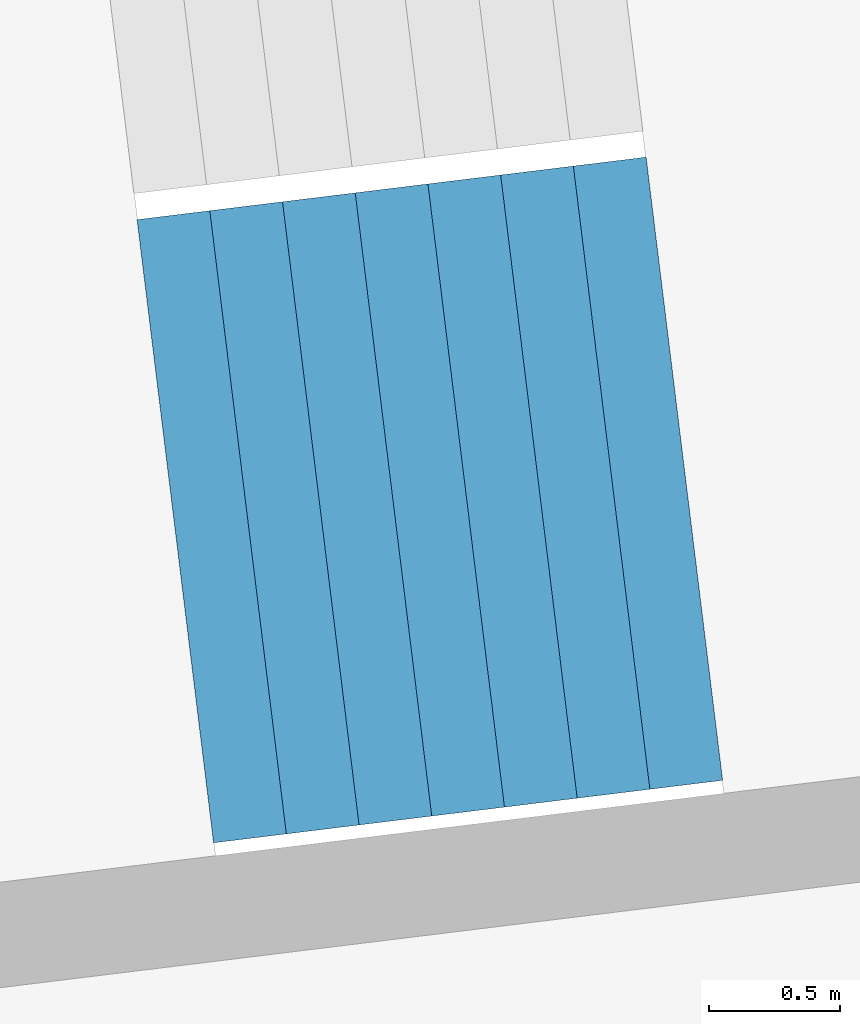
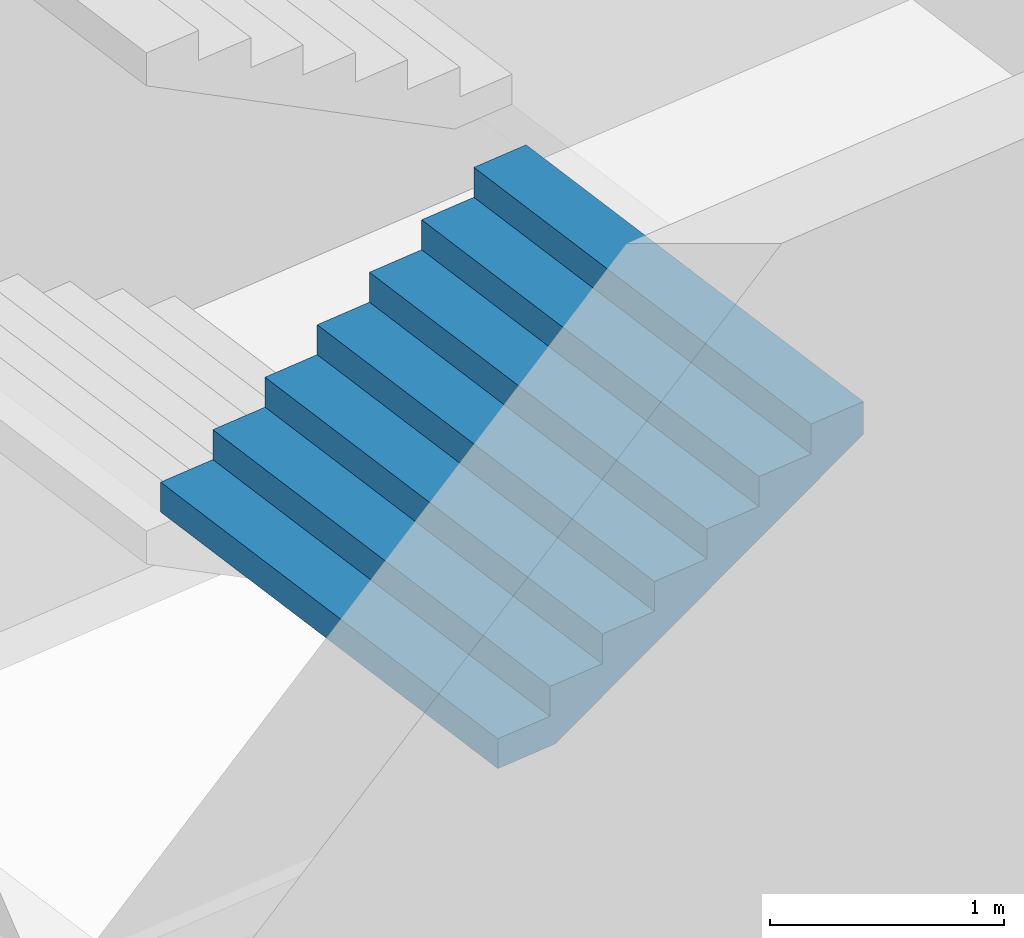
# One storey, part 58 of 73: 1 stair flight, 1 element without a shape of its own.
"""IFC4 building model written with IfcOpenShell, lengths in metres."""

import ifcopenshell
import ifcopenshell.guid

model = None  # the IFC model being written
_history = None  # IfcOwnerHistory: only IFC2X3 demands one
_inside = {}  # id of a spatial element -> (the spatial element, [elements in it])
_under = {}  # id of a project, library or spatial element -> (it, [spatial elements below it])
_declared = {}  # id of a project -> (the project, [libraries it declares])
_typed = {}  # id of a type object -> (the type object, [elements of that type])
_made_of = {}  # id of a material, layer set ... -> (it, [elements and type objects made of it])


def new_model(schema):
    """Start an empty IFC model of exactly this schema.

    Asked for "IFC4X3", IfcOpenShell would pick the latest addendum, in which some entities
    have other attributes; the version numbers below select the first issue.
    IFC2X3 requires an IfcOwnerHistory on every rooted entity: one is made here for all.
    """
    global model, _history
    if schema == "IFC4X3":
        model = ifcopenshell.file(schema_version=(4, 3, 0, 0))
    else:
        model = ifcopenshell.file(schema=schema)
    _inside.clear()
    _under.clear()
    _declared.clear()
    _typed.clear()
    _made_of.clear()
    _history = None
    if model.schema == "IFC2X3":
        org = make("IfcOrganization", Name="unknown")
        user = make(
            "IfcPersonAndOrganization",
            ThePerson=make("IfcPerson", FamilyName="unknown"),
            TheOrganization=org,
        )
        app = make(
            "IfcApplication",
            ApplicationDeveloper=org,
            Version="unknown",
            ApplicationFullName="unknown",
            ApplicationIdentifier="unknown",
        )
        _history = make(
            "IfcOwnerHistory",
            OwningUser=user,
            OwningApplication=app,
            ChangeAction="ADDED",
            CreationDate=0,
        )
    return model


def make(cls, **values):
    """One entity of the class cls with the attributes given. An attribute that is None is left unset."""
    return model.create_entity(
        cls, **{name: value for name, value in values.items() if value is not None}
    )


def rooted(cls, **values):
    """An entity with a GlobalId (a new one), such as an element, a storey or a relation."""
    return make(cls, GlobalId=ifcopenshell.guid.new(), OwnerHistory=_history, **values)


def si_unit(unit_type, name, prefix=None):
    """IfcSIUnit, for example si_unit("LENGTHUNIT", "METRE", prefix="MILLI")."""
    return make("IfcSIUnit", UnitType=unit_type, Prefix=prefix, Name=name)


def assignment(units):
    """IfcUnitAssignment: the units of a project."""
    return None if units is None else make("IfcUnitAssignment", Units=units)


def point(xyz):
    """IfcCartesianPoint."""
    return None if xyz is None else make("IfcCartesianPoint", Coordinates=xyz)


def direction(xyz):
    """IfcDirection."""
    return None if xyz is None else make("IfcDirection", DirectionRatios=xyz)


def frame(location, z_axis=None, x_axis=None):
    """IfcAxis2Placement3D, a coordinate frame: its origin and axes. An axis left out is left unset."""
    return make(
        "IfcAxis2Placement3D",
        Location=point(location),
        Axis=direction(z_axis),
        RefDirection=direction(x_axis),
    )


def origin():
    """The frame at (0, 0, 0) with its axes left unset."""
    return frame((0.0, 0.0, 0.0))


def place(relative_to, where):
    """IfcLocalPlacement: puts the frame where relative to a parent placement (None: the world)."""
    return make(
        "IfcLocalPlacement", PlacementRelTo=relative_to, RelativePlacement=where
    )


def context(
    kind, dimensions, precision=None, world=None, true_north=None, identifier=None
):
    """IfcGeometricRepresentationContext, for example the 3D "Model" context."""
    return make(
        "IfcGeometricRepresentationContext",
        ContextIdentifier=identifier,
        ContextType=kind,
        CoordinateSpaceDimension=dimensions,
        Precision=precision,
        WorldCoordinateSystem=world,
        TrueNorth=true_north,
    )


def subcontext(parent, identifier, kind, view, scale=None):
    """IfcGeometricRepresentationSubContext, for example "Body" below "Model"."""
    return make(
        "IfcGeometricRepresentationSubContext",
        ContextIdentifier=identifier,
        ContextType=kind,
        ParentContext=parent,
        TargetScale=scale,
        TargetView=view,
    )


def project(units=None, contexts=None):
    """IfcProject with its units and contexts."""
    return rooted(
        "IfcProject",
        Name="project",
        RepresentationContexts=contexts,
        UnitsInContext=assignment(units),
    )


def spatial(cls, under=None, at=None, **own):
    """A site, building, storey or space (cls), placed at a placement, below another one or the project."""
    s = rooted(cls, ObjectPlacement=at, **own)
    if under is not None:
        _under.setdefault(under.id(), (under, []))[1].append(s)
    return s


def point_list(points):
    """IfcCartesianPointList2D or 3D."""
    cls = (
        "IfcCartesianPointList2D" if len(points[0]) == 2 else "IfcCartesianPointList3D"
    )
    return make(cls, CoordList=points)


def triangles(points, corners, closed=None, point_numbers=None):
    """IfcTriangulatedFaceSet: each triangle names its three corners, points numbered from 1."""
    return make(
        "IfcTriangulatedFaceSet",
        Coordinates=point_list(points),
        Closed=closed,
        CoordIndex=corners,
        PnIndex=point_numbers,
    )


def shape(context_of_items, identifier, shape_type, items):
    """IfcShapeRepresentation: the items that make up one representation, for example the "Body"."""
    return make(
        "IfcShapeRepresentation",
        ContextOfItems=context_of_items,
        RepresentationIdentifier=identifier,
        RepresentationType=shape_type,
        Items=items,
    )


def material(Name=None, Category=None):
    """IfcMaterial."""
    return make("IfcMaterial", Name=Name, Category=Category)


def made_of(thing, what):
    """Note that an element or type object is made of a material, layer set ...; save() writes the relation."""
    if what is not None:
        _made_of.setdefault(what.id(), (what, []))[1].append(thing)
    return thing


def type_object(cls, material=None, **own):
    """A type object (cls), such as IfcWallType, which elements share."""
    return made_of(rooted(cls, **own), material)


def element(
    cls,
    number,
    at=None,
    inside=None,
    cuts=None,
    type_object=None,
    material=None,
    context=None,
    identifier="Body",
    shape_type=None,
    held_by="IfcProductDefinitionShape",
    body=None,
    shapes=None,
    **own,
):
    """One element of the class cls, such as IfcWall. Its Tag is "e" and its number.

    at: its placement. inside: the storey or other place that contains it. cuts: it is an
    opening in that element (IfcRelVoidsElement). A single representation is given by context,
    identifier, shape_type and body (its items); several are given by shapes. held_by: the class
    of the entity that holds the representations. save() writes the other relations.
    """
    e = rooted(cls, Tag="e%d" % number, ObjectPlacement=at, **own)
    if body is not None:
        shapes = [shape(context, identifier, shape_type, body)]
    if shapes is not None:
        e.Representation = make(held_by, Representations=shapes)
    if inside is not None:
        _inside.setdefault(inside.id(), (inside, []))[1].append(e)
    if cuts is not None:
        rooted(
            "IfcRelVoidsElement", RelatingBuildingElement=cuts, RelatedOpeningElement=e
        )
    if type_object is not None:
        _typed.setdefault(type_object.id(), (type_object, []))[1].append(e)
    return made_of(e, material)


def aggregate(whole, parts):
    """IfcRelAggregates: a whole, such as a stair, and the parts it consists of."""
    return rooted("IfcRelAggregates", RelatingObject=whole, RelatedObjects=parts)


def save(model, path):
    """Write the relations noted so far, then the file.

    IfcRelAggregates (storeys below a building ...), IfcRelContainedInSpatialStructure (elements
    in a storey), IfcRelDefinesByType, IfcRelAssociatesMaterial and IfcRelDeclares: one each for
    every whole, place, type object, material and project.
    """
    for whole, parts in _under.values():
        aggregate(whole, parts)
    for where, things in _inside.values():
        rooted(
            "IfcRelContainedInSpatialStructure",
            RelatedElements=things,
            RelatingStructure=where,
        )
    for kind, things in _typed.values():
        rooted("IfcRelDefinesByType", RelatedObjects=things, RelatingType=kind)
    for what, things in _made_of.values():
        rooted("IfcRelAssociatesMaterial", RelatedObjects=things, RelatingMaterial=what)
    for by, libraries in _declared.values():
        rooted("IfcRelDeclares", RelatingContext=by, RelatedDefinitions=libraries)
    model.write(path)


model = new_model("IFC4")

# Units and contexts
model_context = context("Model", 3, precision=1e-05, world=origin(), true_north=direction((0.0, 1.0)))
body_context = subcontext(model_context, "Body", "Model", "MODEL_VIEW")
ifc_project = project(units=[si_unit("LENGTHUNIT", "METRE"), si_unit("AREAUNIT", "SQUARE_METRE"), si_unit("VOLUMEUNIT", "CUBIC_METRE"), si_unit("PLANEANGLEUNIT", "RADIAN"), si_unit("MASSUNIT", "GRAM", prefix="KILO")], contexts=[model_context])

# Site, building, storey
site_placement = place(None, origin())
site = spatial("IfcSite", under=ifc_project, at=site_placement, CompositionType="ELEMENT")
building_placement = place(site_placement, origin())
building = spatial("IfcBuilding", under=site, at=building_placement, Name="Lantaw Convention Tower", CompositionType="ELEMENT")
storey_placement = place(building_placement, frame((0.0, 0.0, 22.0)))
storey = spatial("IfcBuildingStorey", under=building, at=storey_placement, Name="L03", CompositionType="ELEMENT", Elevation=22.0)

# Stair, stair flight
ifc_material = material(Name="Concrete C35/45", Category="concrete")
stair_type = type_object("IfcStairType", Name="Exit stair 2400 riser 156.25 in 4 flights", PredefinedType="HALF_TURN_STAIR", material=ifc_material)
stair_placement = place(storey_placement, origin())
stair = element("IfcStair", 1, at=stair_placement, inside=storey, type_object=stair_type, Name="Podium exit stair P1 L03", PredefinedType="HALF_TURN_STAIR")
stair_flight_type = type_object("IfcStairFlightType", Name="Stair flight 2400 riser 156.25", PredefinedType="STRAIGHT", material=ifc_material)
stair_flight_placement = place(storey_placement, frame((38.2763671875, 3.4404296875, 2.5), z_axis=(0.0, 0.0, 1.0), x_axis=(0.992546151641, 0.121869343405, 0.0)))
stair_flight = element("IfcStairFlight", 2, at=stair_flight_placement, type_object=stair_flight_type, Name="P1 flight 3", NumberOfRisers=8, NumberOfTreads=7, PredefinedType="STRAIGHT", RiserHeight=0.15625, TreadLength=0.28, context=body_context, shape_type="Tessellation", body=[
    triangles([(0.0, 1.199951171875, 0.0), (0.0, 1.199951171875, 0.15625), (0.28, 1.199951171875, 0.0), (0.28, 1.199951171875, 0.15625), (0.28, 1.199951171875, 0.3125), (0.3076200632058044, 1.199951171875, 0.0), (0.3076200632058044, 1.199951171875, 0.3125), (0.56, 1.199951171875, 0.14083701830033238), (0.56, 1.199951171875, 0.3125), (0.56, 1.199951171875, 0.46875), (0.8400000000000001, 1.199951171875, 0.29708701830033235), (0.8400000000000001, 1.199951171875, 0.46875), (0.8400000000000001, 1.199951171875, 0.625), (1.12, 1.199951171875, 0.45333701830033235), (1.12, 1.199951171875, 0.625), (1.12, 1.199951171875, 0.78125), (1.4000000000000001, 1.199951171875, 0.6095870183003324), (1.4000000000000001, 1.199951171875, 0.78125), (1.4000000000000001, 1.199951171875, 0.9375), (1.6800000000000002, 1.199951171875, 0.7658370183003324), (1.6800000000000002, 1.199951171875, 0.9375), (1.6800000000000002, 1.199951171875, 1.09375), (1.9600000000000002, 1.199951171875, 0.9220870183003324), (1.9600000000000002, 1.199951171875, 1.09375), (0.0, -1.199951171875, 0.0), (0.0, -1.199951171875, 0.15625), (0.28, -1.199951171875, 0.0), (0.28, -1.199951171875, 0.15625), (0.28, -1.199951171875, 0.3125), (0.3076200632058044, -1.199951171875, 0.0), (0.3076200632058044, -1.199951171875, 0.3125), (0.56, -1.199951171875, 0.14083701830033238), (0.56, -1.199951171875, 0.3125), (0.56, -1.199951171875, 0.46875), (0.8400000000000001, -1.199951171875, 0.29708701830033235), (0.8400000000000001, -1.199951171875, 0.46875), (0.8400000000000001, -1.199951171875, 0.625), (1.12, -1.199951171875, 0.45333701830033235), (1.12, -1.199951171875, 0.625), (1.12, -1.199951171875, 0.78125), (1.4000000000000001, -1.199951171875, 0.6095870183003324), (1.4000000000000001, -1.199951171875, 0.78125), (1.4000000000000001, -1.199951171875, 0.9375), (1.6800000000000002, -1.199951171875, 0.7658370183003324), (1.6800000000000002, -1.199951171875, 0.9375), (1.6800000000000002, -1.199951171875, 1.09375), (1.9600000000000002, -1.199951171875, 0.9220870183003324), (1.9600000000000002, -1.199951171875, 1.09375), (0.0, 0.239990234375, 0.15625), (0.0, 0.239990234375, 0.0), (0.0, 0.1919921875, 0.15625), (0.0, 0.1919921875, 0.0), (0.0, 0.143994140625, 0.15625), (0.0, 0.143994140625, 0.0), (0.0, 0.09599609375, 0.15625), (0.0, 0.09599609375, 0.0), (0.0, 0.047998046875, 0.15625), (0.0, 0.047998046875, 0.0), (0.0, 0.0, 0.15625), (0.0, 0.0, 0.0), (0.0, -0.047998046875, 0.15625), (0.0, -0.047998046875, 0.0), (0.0, -0.09599609375, 0.15625), (0.0, -0.09599609375, 0.0), (0.0, -0.143994140625, 0.15625), (0.0, -0.143994140625, 0.0), (0.0, -0.1919921875, 0.15625), (0.0, -0.1919921875, 0.0), (0.0, -0.239990234375, 0.15625), (0.0, -0.239990234375, 0.0), (0.28, 0.239990234375, 0.3125), (0.28, 0.239990234375, 0.15625), (0.28, 0.1919921875, 0.3125), (0.28, 0.1919921875, 0.15625), (0.28, 0.143994140625, 0.3125), (0.28, 0.143994140625, 0.15625), (0.28, 0.09599609375, 0.3125), (0.28, 0.09599609375, 0.15625), (0.28, 0.047998046875, 0.3125), (0.28, 0.047998046875, 0.15625), (0.28, 0.0, 0.3125), (0.28, 0.0, 0.15625), (0.28, -0.047998046875, 0.3125), (0.28, -0.047998046875, 0.15625), (0.28, -0.09599609375, 0.3125), (0.28, -0.09599609375, 0.15625), (0.28, -0.143994140625, 0.3125), (0.28, -0.143994140625, 0.15625), (0.28, -0.1919921875, 0.3125), (0.28, -0.1919921875, 0.15625), (0.28, -0.239990234375, 0.3125), (0.28, -0.239990234375, 0.15625), (0.56, 0.239990234375, 0.46875), (0.56, 0.239990234375, 0.3125), (0.56, 0.1919921875, 0.46875), (0.56, 0.1919921875, 0.3125), (0.56, 0.143994140625, 0.46875), (0.56, 0.143994140625, 0.3125), (0.56, 0.09599609375, 0.46875), (0.56, 0.09599609375, 0.3125), (0.56, 0.047998046875, 0.46875), (0.56, 0.047998046875, 0.3125), (0.56, 0.0, 0.46875), (0.56, 0.0, 0.3125), (0.56, -0.047998046875, 0.46875), (0.56, -0.047998046875, 0.3125), (0.56, -0.09599609375, 0.46875), (0.56, -0.09599609375, 0.3125), (0.56, -0.143994140625, 0.46875), (0.56, -0.143994140625, 0.3125), (0.56, -0.1919921875, 0.46875), (0.56, -0.1919921875, 0.3125), (0.56, -0.239990234375, 0.46875), (0.56, -0.239990234375, 0.3125), (0.8400000000000001, 0.239990234375, 0.625), (0.8400000000000001, 0.239990234375, 0.46875), (0.8400000000000001, 0.1919921875, 0.625), (0.8400000000000001, 0.1919921875, 0.46875), (0.8400000000000001, 0.143994140625, 0.625), (0.8400000000000001, 0.143994140625, 0.46875), (0.8400000000000001, 0.09599609375, 0.625), (0.8400000000000001, 0.09599609375, 0.46875), (0.8400000000000001, 0.047998046875, 0.625), (0.8400000000000001, 0.047998046875, 0.46875), (0.8400000000000001, 0.0, 0.625), (0.8400000000000001, 0.0, 0.46875), (0.8400000000000001, -0.047998046875, 0.625), (0.8400000000000001, -0.047998046875, 0.46875), (0.8400000000000001, -0.09599609375, 0.625), (0.8400000000000001, -0.09599609375, 0.46875), (0.8400000000000001, -0.143994140625, 0.625), (0.8400000000000001, -0.143994140625, 0.46875), (0.8400000000000001, -0.1919921875, 0.625), (0.8400000000000001, -0.1919921875, 0.46875), (0.8400000000000001, -0.239990234375, 0.625), (0.8400000000000001, -0.239990234375, 0.46875), (1.12, 0.239990234375, 0.78125), (1.12, 0.239990234375, 0.625), (1.12, 0.1919921875, 0.78125), (1.12, 0.1919921875, 0.625), (1.12, 0.143994140625, 0.78125), (1.12, 0.143994140625, 0.625), (1.12, 0.09599609375, 0.78125), (1.12, 0.09599609375, 0.625), (1.12, 0.047998046875, 0.78125), (1.12, 0.047998046875, 0.625), (1.12, 0.0, 0.78125), (1.12, 0.0, 0.625), (1.12, -0.047998046875, 0.78125), (1.12, -0.047998046875, 0.625), (1.12, -0.09599609375, 0.78125), (1.12, -0.09599609375, 0.625), (1.12, -0.143994140625, 0.78125), (1.12, -0.143994140625, 0.625), (1.12, -0.1919921875, 0.78125), (1.12, -0.1919921875, 0.625), (1.12, -0.239990234375, 0.78125), (1.12, -0.239990234375, 0.625), (1.4000000000000001, 0.239990234375, 0.9375), (1.4000000000000001, 0.239990234375, 0.78125), (1.4000000000000001, 0.1919921875, 0.9375), (1.4000000000000001, 0.1919921875, 0.78125), (1.4000000000000001, 0.143994140625, 0.9375), (1.4000000000000001, 0.143994140625, 0.78125), (1.4000000000000001, 0.09599609375, 0.9375), (1.4000000000000001, 0.09599609375, 0.78125), (1.4000000000000001, 0.047998046875, 0.9375), (1.4000000000000001, 0.047998046875, 0.78125), (1.4000000000000001, 0.0, 0.9375), (1.4000000000000001, 0.0, 0.78125), (1.4000000000000001, -0.047998046875, 0.9375), (1.4000000000000001, -0.047998046875, 0.78125), (1.4000000000000001, -0.09599609375, 0.9375), (1.4000000000000001, -0.09599609375, 0.78125), (1.4000000000000001, -0.143994140625, 0.9375), (1.4000000000000001, -0.143994140625, 0.78125), (1.4000000000000001, -0.1919921875, 0.9375), (1.4000000000000001, -0.1919921875, 0.78125), (1.4000000000000001, -0.239990234375, 0.9375), (1.4000000000000001, -0.239990234375, 0.78125), (1.6800000000000002, 0.239990234375, 1.09375), (1.6800000000000002, 0.239990234375, 0.9375), (1.6800000000000002, 0.1919921875, 1.09375), (1.6800000000000002, 0.1919921875, 0.9375), (1.6800000000000002, 0.143994140625, 1.09375), (1.6800000000000002, 0.143994140625, 0.9375), (1.6800000000000002, 0.09599609375, 1.09375), (1.6800000000000002, 0.09599609375, 0.9375), (1.6800000000000002, 0.047998046875, 1.09375), (1.6800000000000002, 0.047998046875, 0.9375), (1.6800000000000002, 0.0, 1.09375), (1.6800000000000002, 0.0, 0.9375), (1.6800000000000002, -0.047998046875, 1.09375), (1.6800000000000002, -0.047998046875, 0.9375), (1.6800000000000002, -0.09599609375, 1.09375), (1.6800000000000002, -0.09599609375, 0.9375), (1.6800000000000002, -0.143994140625, 1.09375), (1.6800000000000002, -0.143994140625, 0.9375), (1.6800000000000002, -0.1919921875, 1.09375), (1.6800000000000002, -0.1919921875, 0.9375), (1.6800000000000002, -0.239990234375, 1.09375), (1.6800000000000002, -0.239990234375, 0.9375), (0.3076200632058044, 0.239990234375, 0.3125), (0.3076200632058044, 0.1919921875, 0.3125), (0.3076200632058044, 0.143994140625, 0.3125), (0.3076200632058044, 0.09599609375, 0.3125), (0.3076200632058044, 0.047998046875, 0.3125), (0.3076200632058044, 0.0, 0.3125), (0.3076200632058044, -0.047998046875, 0.3125), (0.3076200632058044, -0.09599609375, 0.3125), (0.3076200632058044, -0.143994140625, 0.3125), (0.3076200632058044, -0.1919921875, 0.3125), (0.3076200632058044, -0.239990234375, 0.3125), (1.9600000000000002, 0.239990234375, 1.09375), (1.9600000000000002, 0.1919921875, 1.09375), (1.9600000000000002, 0.143994140625, 1.09375), (1.9600000000000002, 0.09599609375, 1.09375), (1.9600000000000002, 0.047998046875, 1.09375), (1.9600000000000002, 0.0, 1.09375), (1.9600000000000002, -0.047998046875, 1.09375), (1.9600000000000002, -0.09599609375, 1.09375), (1.9600000000000002, -0.143994140625, 1.09375), (1.9600000000000002, -0.1919921875, 1.09375), (1.9600000000000002, -0.239990234375, 1.09375), (1.9600000000000002, 0.239990234375, 0.9220870183003324), (1.9600000000000002, 0.1919921875, 0.9220870183003324), (1.9600000000000002, 0.143994140625, 0.9220870183003324), (1.9600000000000002, 0.09599609375, 0.9220870183003324), (1.9600000000000002, 0.047998046875, 0.9220870183003324), (1.9600000000000002, 0.0, 0.9220870183003324), (1.9600000000000002, -0.047998046875, 0.9220870183003324), (1.9600000000000002, -0.09599609375, 0.9220870183003324), (1.9600000000000002, -0.143994140625, 0.9220870183003324), (1.9600000000000002, -0.1919921875, 0.9220870183003324), (1.9600000000000002, -0.239990234375, 0.9220870183003324), (1.6800000000000002, 0.239990234375, 0.7658370183003324), (1.6800000000000002, 0.1919921875, 0.7658370183003324), (1.6800000000000002, 0.143994140625, 0.7658370183003324), (1.6800000000000002, 0.09599609375, 0.7658370183003324), (1.6800000000000002, 0.047998046875, 0.7658370183003324), (1.6800000000000002, 0.0, 0.7658370183003324), (1.6800000000000002, -0.047998046875, 0.7658370183003324), (1.6800000000000002, -0.09599609375, 0.7658370183003324), (1.6800000000000002, -0.143994140625, 0.7658370183003324), (1.6800000000000002, -0.1919921875, 0.7658370183003324), (1.6800000000000002, -0.239990234375, 0.7658370183003324), (1.4000000000000001, 0.239990234375, 0.6095870183003324), (1.4000000000000001, 0.1919921875, 0.6095870183003324), (1.4000000000000001, 0.143994140625, 0.6095870183003324), (1.4000000000000001, 0.09599609375, 0.6095870183003324), (1.4000000000000001, 0.047998046875, 0.6095870183003324), (1.4000000000000001, 0.0, 0.6095870183003324), (1.4000000000000001, -0.047998046875, 0.6095870183003324), (1.4000000000000001, -0.09599609375, 0.6095870183003324), (1.4000000000000001, -0.143994140625, 0.6095870183003324), (1.4000000000000001, -0.1919921875, 0.6095870183003324), (1.4000000000000001, -0.239990234375, 0.6095870183003324), (1.12, 0.239990234375, 0.45333701830033235), (1.12, 0.1919921875, 0.45333701830033235), (1.12, 0.143994140625, 0.45333701830033235), (1.12, 0.09599609375, 0.45333701830033235), (1.12, 0.047998046875, 0.45333701830033235), (1.12, 0.0, 0.45333701830033235), (1.12, -0.047998046875, 0.45333701830033235), (1.12, -0.09599609375, 0.45333701830033235), (1.12, -0.143994140625, 0.45333701830033235), (1.12, -0.1919921875, 0.45333701830033235), (1.12, -0.239990234375, 0.45333701830033235), (0.8400000000000001, 0.239990234375, 0.29708701830033235), (0.8400000000000001, 0.1919921875, 0.29708701830033235), (0.8400000000000001, 0.143994140625, 0.29708701830033235), (0.8400000000000001, 0.09599609375, 0.29708701830033235), (0.8400000000000001, 0.047998046875, 0.29708701830033235), (0.8400000000000001, 0.0, 0.29708701830033235), (0.8400000000000001, -0.047998046875, 0.29708701830033235), (0.8400000000000001, -0.09599609375, 0.29708701830033235), (0.8400000000000001, -0.143994140625, 0.29708701830033235), (0.8400000000000001, -0.1919921875, 0.29708701830033235), (0.8400000000000001, -0.239990234375, 0.29708701830033235), (0.56, 0.239990234375, 0.14083701830033238), (0.56, 0.1919921875, 0.14083701830033238), (0.56, 0.143994140625, 0.14083701830033238), (0.56, 0.09599609375, 0.14083701830033238), (0.56, 0.047998046875, 0.14083701830033238), (0.56, 0.0, 0.14083701830033238), (0.56, -0.047998046875, 0.14083701830033238), (0.56, -0.09599609375, 0.14083701830033238), (0.56, -0.143994140625, 0.14083701830033238), (0.56, -0.1919921875, 0.14083701830033238), (0.56, -0.239990234375, 0.14083701830033238), (0.3076200632058044, 0.239990234375, 0.0), (0.3076200632058044, 0.1919921875, 0.0), (0.3076200632058044, 0.143994140625, 0.0), (0.3076200632058044, 0.09599609375, 0.0), (0.3076200632058044, 0.047998046875, 0.0), (0.3076200632058044, 0.0, 0.0), (0.3076200632058044, -0.047998046875, 0.0), (0.3076200632058044, -0.09599609375, 0.0), (0.3076200632058044, -0.143994140625, 0.0), (0.3076200632058044, -0.1919921875, 0.0), (0.3076200632058044, -0.239990234375, 0.0), (0.28, 0.239990234375, 0.0), (0.28, 0.1919921875, 0.0), (0.28, 0.143994140625, 0.0), (0.28, 0.09599609375, 0.0), (0.28, 0.047998046875, 0.0), (0.28, 0.0, 0.0), (0.28, -0.047998046875, 0.0), (0.28, -0.09599609375, 0.0), (0.28, -0.143994140625, 0.0), (0.28, -0.1919921875, 0.0), (0.28, -0.239990234375, 0.0)], [[1, 4, 3], [1, 2, 4], [3, 4, 6], [4, 7, 6], [4, 5, 7], [6, 9, 8], [6, 7, 9], [8, 9, 11], [9, 12, 11], [9, 10, 12], [11, 12, 14], [12, 15, 14], [12, 13, 15], [14, 15, 17], [15, 18, 17], [15, 16, 18], [17, 18, 20], [18, 21, 20], [18, 19, 21], [20, 21, 23], [21, 24, 23], [21, 22, 24], [25, 27, 28], [25, 28, 26], [27, 30, 28], [28, 30, 31], [28, 31, 29], [30, 32, 33], [30, 33, 31], [32, 35, 33], [33, 35, 36], [33, 36, 34], [35, 38, 36], [36, 38, 39], [36, 39, 37], [38, 41, 39], [39, 41, 42], [39, 42, 40], [41, 44, 42], [42, 44, 45], [42, 45, 43], [44, 47, 45], [45, 47, 48], [45, 48, 46], [1, 49, 2], [1, 50, 49], [50, 51, 49], [50, 52, 51], [52, 53, 51], [52, 54, 53], [54, 55, 53], [54, 56, 55], [56, 57, 55], [56, 58, 57], [58, 59, 57], [58, 60, 59], [60, 61, 59], [60, 62, 61], [62, 63, 61], [62, 64, 63], [64, 65, 63], [64, 66, 65], [66, 67, 65], [66, 68, 67], [68, 69, 67], [68, 70, 69], [70, 26, 69], [70, 25, 26], [4, 71, 5], [4, 72, 71], [72, 73, 71], [72, 74, 73], [74, 75, 73], [74, 76, 75], [76, 77, 75], [76, 78, 77], [78, 79, 77], [78, 80, 79], [80, 81, 79], [80, 82, 81], [82, 83, 81], [82, 84, 83], [84, 85, 83], [84, 86, 85], [86, 87, 85], [86, 88, 87], [88, 89, 87], [88, 90, 89], [90, 91, 89], [90, 92, 91], [92, 29, 91], [92, 28, 29], [9, 93, 10], [9, 94, 93], [94, 95, 93], [94, 96, 95], [96, 97, 95], [96, 98, 97], [98, 99, 97], [98, 100, 99], [100, 101, 99], [100, 102, 101], [102, 103, 101], [102, 104, 103], [104, 105, 103], [104, 106, 105], [106, 107, 105], [106, 108, 107], [108, 109, 107], [108, 110, 109], [110, 111, 109], [110, 112, 111], [112, 113, 111], [112, 114, 113], [114, 34, 113], [114, 33, 34], [12, 115, 13], [12, 116, 115], [116, 117, 115], [116, 118, 117], [118, 119, 117], [118, 120, 119], [120, 121, 119], [120, 122, 121], [122, 123, 121], [122, 124, 123], [124, 125, 123], [124, 126, 125], [126, 127, 125], [126, 128, 127], [128, 129, 127], [128, 130, 129], [130, 131, 129], [130, 132, 131], [132, 133, 131], [132, 134, 133], [134, 135, 133], [134, 136, 135], [136, 37, 135], [136, 36, 37], [15, 137, 16], [15, 138, 137], [138, 139, 137], [138, 140, 139], [140, 141, 139], [140, 142, 141], [142, 143, 141], [142, 144, 143], [144, 145, 143], [144, 146, 145], [146, 147, 145], [146, 148, 147], [148, 149, 147], [148, 150, 149], [150, 151, 149], [150, 152, 151], [152, 153, 151], [152, 154, 153], [154, 155, 153], [154, 156, 155], [156, 157, 155], [156, 158, 157], [158, 40, 157], [158, 39, 40], [18, 159, 19], [18, 160, 159], [160, 161, 159], [160, 162, 161], [162, 163, 161], [162, 164, 163], [164, 165, 163], [164, 166, 165], [166, 167, 165], [166, 168, 167], [168, 169, 167], [168, 170, 169], [170, 171, 169], [170, 172, 171], [172, 173, 171], [172, 174, 173], [174, 175, 173], [174, 176, 175], [176, 177, 175], [176, 178, 177], [178, 179, 177], [178, 180, 179], [180, 43, 179], [180, 42, 43], [21, 181, 22], [21, 182, 181], [182, 183, 181], [182, 184, 183], [184, 185, 183], [184, 186, 185], [186, 187, 185], [186, 188, 187], [188, 189, 187], [188, 190, 189], [190, 191, 189], [190, 192, 191], [192, 193, 191], [192, 194, 193], [194, 195, 193], [194, 196, 195], [196, 197, 195], [196, 198, 197], [198, 199, 197], [198, 200, 199], [200, 201, 199], [200, 202, 201], [202, 46, 201], [202, 45, 46], [2, 72, 4], [2, 49, 72], [49, 74, 72], [49, 51, 74], [51, 76, 74], [51, 53, 76], [53, 78, 76], [53, 55, 78], [55, 80, 78], [55, 57, 80], [57, 82, 80], [57, 59, 82], [59, 84, 82], [59, 61, 84], [61, 86, 84], [61, 63, 86], [63, 88, 86], [63, 65, 88], [65, 90, 88], [65, 67, 90], [67, 92, 90], [67, 69, 92], [69, 28, 92], [69, 26, 28], [5, 203, 7], [5, 71, 203], [71, 204, 203], [71, 73, 204], [73, 205, 204], [73, 75, 205], [75, 206, 205], [75, 77, 206], [77, 207, 206], [77, 79, 207], [79, 208, 207], [79, 81, 208], [81, 209, 208], [81, 83, 209], [83, 210, 209], [83, 85, 210], [85, 211, 210], [85, 87, 211], [87, 212, 211], [87, 89, 212], [89, 213, 212], [89, 91, 213], [91, 31, 213], [91, 29, 31], [7, 94, 9], [7, 203, 94], [203, 96, 94], [203, 204, 96], [204, 98, 96], [204, 205, 98], [205, 100, 98], [205, 206, 100], [206, 102, 100], [206, 207, 102], [207, 104, 102], [207, 208, 104], [208, 106, 104], [208, 209, 106], [209, 108, 106], [209, 210, 108], [210, 110, 108], [210, 211, 110], [211, 112, 110], [211, 212, 112], [212, 114, 112], [212, 213, 114], [213, 33, 114], [213, 31, 33], [10, 116, 12], [10, 93, 116], [93, 118, 116], [93, 95, 118], [95, 120, 118], [95, 97, 120], [97, 122, 120], [97, 99, 122], [99, 124, 122], [99, 101, 124], [101, 126, 124], [101, 103, 126], [103, 128, 126], [103, 105, 128], [105, 130, 128], [105, 107, 130], [107, 132, 130], [107, 109, 132], [109, 134, 132], [109, 111, 134], [111, 136, 134], [111, 113, 136], [113, 36, 136], [113, 34, 36], [13, 138, 15], [13, 115, 138], [115, 140, 138], [115, 117, 140], [117, 142, 140], [117, 119, 142], [119, 144, 142], [119, 121, 144], [121, 146, 144], [121, 123, 146], [123, 148, 146], [123, 125, 148], [125, 150, 148], [125, 127, 150], [127, 152, 150], [127, 129, 152], [129, 154, 152], [129, 131, 154], [131, 156, 154], [131, 133, 156], [133, 158, 156], [133, 135, 158], [135, 39, 158], [135, 37, 39], [16, 160, 18], [16, 137, 160], [137, 162, 160], [137, 139, 162], [139, 164, 162], [139, 141, 164], [141, 166, 164], [141, 143, 166], [143, 168, 166], [143, 145, 168], [145, 170, 168], [145, 147, 170], [147, 172, 170], [147, 149, 172], [149, 174, 172], [149, 151, 174], [151, 176, 174], [151, 153, 176], [153, 178, 176], [153, 155, 178], [155, 180, 178], [155, 157, 180], [157, 42, 180], [157, 40, 42], [19, 182, 21], [19, 159, 182], [159, 184, 182], [159, 161, 184], [161, 186, 184], [161, 163, 186], [163, 188, 186], [163, 165, 188], [165, 190, 188], [165, 167, 190], [167, 192, 190], [167, 169, 192], [169, 194, 192], [169, 171, 194], [171, 196, 194], [171, 173, 196], [173, 198, 196], [173, 175, 198], [175, 200, 198], [175, 177, 200], [177, 202, 200], [177, 179, 202], [179, 45, 202], [179, 43, 45], [22, 214, 24], [22, 181, 214], [181, 215, 214], [181, 183, 215], [183, 216, 215], [183, 185, 216], [185, 217, 216], [185, 187, 217], [187, 218, 217], [187, 189, 218], [189, 219, 218], [189, 191, 219], [191, 220, 219], [191, 193, 220], [193, 221, 220], [193, 195, 221], [195, 222, 221], [195, 197, 222], [197, 223, 222], [197, 199, 223], [199, 224, 223], [199, 201, 224], [201, 48, 224], [201, 46, 48], [24, 225, 23], [24, 214, 225], [214, 226, 225], [214, 215, 226], [215, 227, 226], [215, 216, 227], [216, 228, 227], [216, 217, 228], [217, 229, 228], [217, 218, 229], [218, 230, 229], [218, 219, 230], [219, 231, 230], [219, 220, 231], [220, 232, 231], [220, 221, 232], [221, 233, 232], [221, 222, 233], [222, 234, 233], [222, 223, 234], [223, 235, 234], [223, 224, 235], [224, 47, 235], [224, 48, 47], [23, 236, 20], [23, 225, 236], [225, 237, 236], [225, 226, 237], [226, 238, 237], [226, 227, 238], [227, 239, 238], [227, 228, 239], [228, 240, 239], [228, 229, 240], [229, 241, 240], [229, 230, 241], [230, 242, 241], [230, 231, 242], [231, 243, 242], [231, 232, 243], [232, 244, 243], [232, 233, 244], [233, 245, 244], [233, 234, 245], [234, 246, 245], [234, 235, 246], [235, 44, 246], [235, 47, 44], [20, 247, 17], [20, 236, 247], [236, 248, 247], [236, 237, 248], [237, 249, 248], [237, 238, 249], [238, 250, 249], [238, 239, 250], [239, 251, 250], [239, 240, 251], [240, 252, 251], [240, 241, 252], [241, 253, 252], [241, 242, 253], [242, 254, 253], [242, 243, 254], [243, 255, 254], [243, 244, 255], [244, 256, 255], [244, 245, 256], [245, 257, 256], [245, 246, 257], [246, 41, 257], [246, 44, 41], [17, 258, 14], [17, 247, 258], [247, 259, 258], [247, 248, 259], [248, 260, 259], [248, 249, 260], [249, 261, 260], [249, 250, 261], [250, 262, 261], [250, 251, 262], [251, 263, 262], [251, 252, 263], [252, 264, 263], [252, 253, 264], [253, 265, 264], [253, 254, 265], [254, 266, 265], [254, 255, 266], [255, 267, 266], [255, 256, 267], [256, 268, 267], [256, 257, 268], [257, 38, 268], [257, 41, 38], [14, 269, 11], [14, 258, 269], [258, 270, 269], [258, 259, 270], [259, 271, 270], [259, 260, 271], [260, 272, 271], [260, 261, 272], [261, 273, 272], [261, 262, 273], [262, 274, 273], [262, 263, 274], [263, 275, 274], [263, 264, 275], [264, 276, 275], [264, 265, 276], [265, 277, 276], [265, 266, 277], [266, 278, 277], [266, 267, 278], [267, 279, 278], [267, 268, 279], [268, 35, 279], [268, 38, 35], [11, 280, 8], [11, 269, 280], [269, 281, 280], [269, 270, 281], [270, 282, 281], [270, 271, 282], [271, 283, 282], [271, 272, 283], [272, 284, 283], [272, 273, 284], [273, 285, 284], [273, 274, 285], [274, 286, 285], [274, 275, 286], [275, 287, 286], [275, 276, 287], [276, 288, 287], [276, 277, 288], [277, 289, 288], [277, 278, 289], [278, 290, 289], [278, 279, 290], [279, 32, 290], [279, 35, 32], [8, 291, 6], [8, 280, 291], [280, 292, 291], [280, 281, 292], [281, 293, 292], [281, 282, 293], [282, 294, 293], [282, 283, 294], [283, 295, 294], [283, 284, 295], [284, 296, 295], [284, 285, 296], [285, 297, 296], [285, 286, 297], [286, 298, 297], [286, 287, 298], [287, 299, 298], [287, 288, 299], [288, 300, 299], [288, 289, 300], [289, 301, 300], [289, 290, 301], [290, 30, 301], [290, 32, 30], [6, 302, 3], [6, 291, 302], [291, 303, 302], [291, 292, 303], [292, 304, 303], [292, 293, 304], [293, 305, 304], [293, 294, 305], [294, 306, 305], [294, 295, 306], [295, 307, 306], [295, 296, 307], [296, 308, 307], [296, 297, 308], [297, 309, 308], [297, 298, 309], [298, 310, 309], [298, 299, 310], [299, 311, 310], [299, 300, 311], [300, 312, 311], [300, 301, 312], [301, 27, 312], [301, 30, 27], [3, 50, 1], [3, 302, 50], [302, 52, 50], [302, 303, 52], [303, 54, 52], [303, 304, 54], [304, 56, 54], [304, 305, 56], [305, 58, 56], [305, 306, 58], [306, 60, 58], [306, 307, 60], [307, 62, 60], [307, 308, 62], [308, 64, 62], [308, 309, 64], [309, 66, 64], [309, 310, 66], [310, 68, 66], [310, 311, 68], [311, 70, 68], [311, 312, 70], [312, 25, 70], [312, 27, 25]], closed=True),
])
aggregate(stair, [stair_flight])

save(model, "model.ifc")
